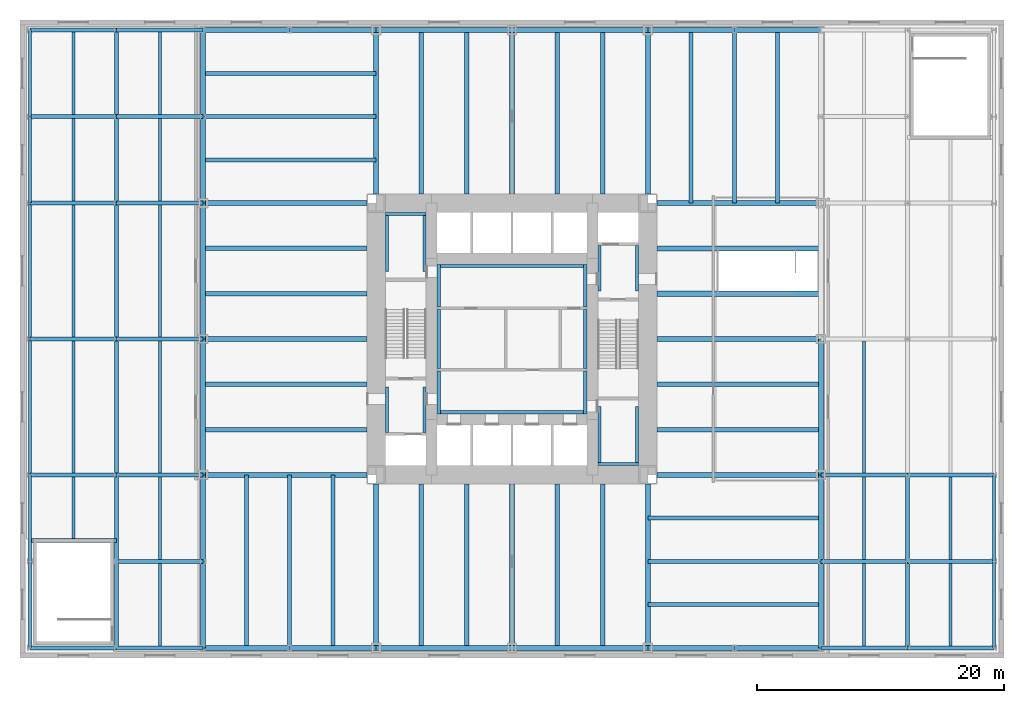
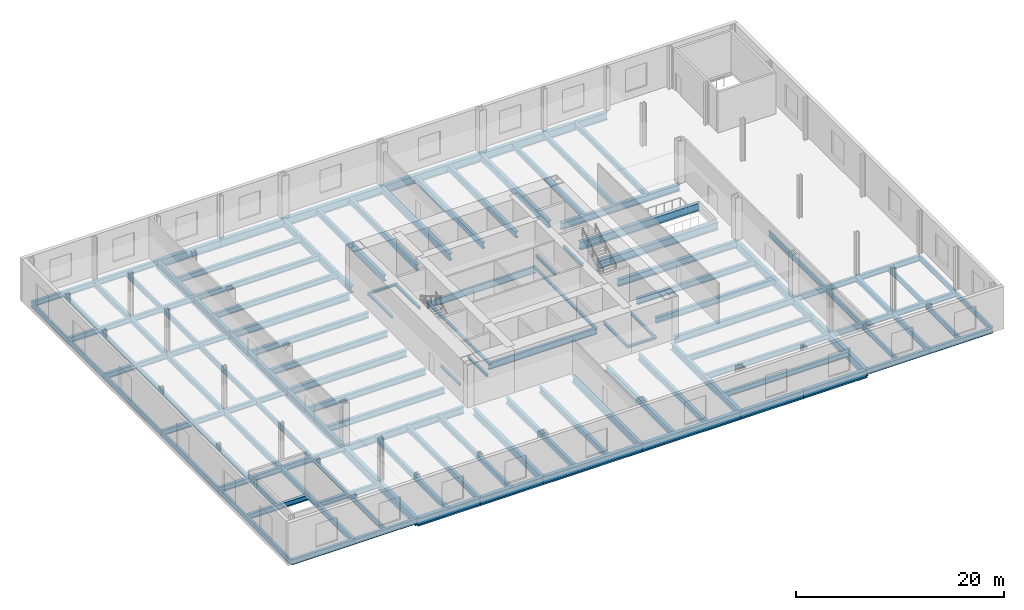
# One storey, part 5 of 12: 131 beams.
"""IFC4 building model written with IfcOpenShell, lengths in metres."""

from ifc_helpers import new_model, si_unit, direction, frame, origin, origin_2d, place, context, subcontext, project, spatial, i_section, extrude, material, material_profile, profile_set, type_object, element, save


model = new_model("IFC4")

# Units and contexts
model_context = context("Model", 3, precision=1e-05, world=origin(), true_north=direction((0.0, 1.0)))
body_context = subcontext(model_context, "Body", "Model", "MODEL_VIEW")
ifc_project = project(units=[si_unit("LENGTHUNIT", "METRE"), si_unit("AREAUNIT", "SQUARE_METRE"), si_unit("VOLUMEUNIT", "CUBIC_METRE"), si_unit("PLANEANGLEUNIT", "RADIAN"), si_unit("MASSUNIT", "GRAM", prefix="KILO")], contexts=[model_context])

# Site, building, storey
site_placement = place(None, origin())
site = spatial("IfcSite", under=ifc_project, at=site_placement, CompositionType="ELEMENT")
building_placement = place(site_placement, origin())
building = spatial("IfcBuilding", under=site, at=building_placement, Name="Trevanion Tower", CompositionType="ELEMENT")
storey_placement = place(building_placement, frame((0.0, 0.0, 11.0)))
storey = spatial("IfcBuildingStorey", under=building, at=storey_placement, Name="L02", CompositionType="ELEMENT", Elevation=11.0)

# Beams
ifc_material_1 = material(Name="Steel ASTM A992 Grade 50", Category="steel")
ifc_material_profile_1 = material_profile(ifc_material_1, i_section(OverallWidth=0.355712890625, OverallDepth=0.700927734375, WebThickness=0.016845703125, FlangeThickness=0.02734375, at=origin_2d()), Name="W27X161")
ifc_profile_set_1 = profile_set([ifc_material_profile_1], Name="Steel ASTM A992 Grade 50")
beam_type_1 = type_object("IfcBeamType", Name="B1 W27X161", PredefinedType="BEAM", material=ifc_profile_set_1)
for number, where, z_axis, x_axis, name in (
    (1, (11.75, -7.333251953125, -0.54052734375), (1.0, 0.0, 0.0), (0.0, 1.0, 0.0), "B1 L02"),
    (2, (11.75, -3.666748046875, -0.54052734375), (1.0, 0.0, 0.0), (0.0, 1.0, 0.0), "B1 L02"),
    (3, (7.333251953125, 11.75, -0.54052734375), (0.0, 1.0, 0.0), (-1.0, 0.0, 0.0), "B1 L02"),
    (4, (3.666748046875, 11.75, -0.54052734375), (0.0, 1.0, 0.0), (-1.0, 0.0, 0.0), "B1 L02"),
    (5, (-3.666748046875, 11.75, -0.54052734375), (0.0, 1.0, 0.0), (-1.0, 0.0, 0.0), "B1 L02"),
    (6, (-7.333251953125, 11.75, -0.54052734375), (0.0, 1.0, 0.0), (-1.0, 0.0, 0.0), "B1 L02"),
    (7, (-11.75, 7.333251953125, -0.54052734375), (-1.0, 0.0, 0.0), (0.0, -1.0, 0.0), "B1 L02"),
    (8, (-11.75, 3.666748046875, -0.54052734375), (-1.0, 0.0, 0.0), (0.0, -1.0, 0.0), "B1 L02"),
    (9, (-11.75, -3.666748046875, -0.54052734375), (-1.0, 0.0, 0.0), (0.0, -1.0, 0.0), "B1 L02"),
    (10, (-11.75, -7.333251953125, -0.54052734375), (-1.0, 0.0, 0.0), (0.0, -1.0, 0.0), "B1 L02"),
    (11, (-7.333251953125, -11.75, -0.54052734375), (0.0, -1.0, 0.0), (1.0, 0.0, 0.0), "B1 L02"),
    (12, (-3.666748046875, -11.75, -0.54052734375), (0.0, -1.0, 0.0), (1.0, 0.0, 0.0), "B1 L02"),
    (13, (3.666748046875, -11.75, -0.54052734375), (0.0, -1.0, 0.0), (1.0, 0.0, 0.0), "B1 L02"),
    (14, (7.333251953125, -11.75, -0.54052734375), (0.0, -1.0, 0.0), (1.0, 0.0, 0.0), "B1 L02"),
):
    element("IfcBeam", number, at=place(storey_placement, frame(where, z_axis=z_axis, x_axis=x_axis)), inside=storey, type_object=beam_type_1, Name=name, PredefinedType="BEAM", context=body_context, shape_type="SweptSolid", body=[
        extrude(i_section(OverallWidth=0.355712890625, OverallDepth=0.700927734375, WebThickness=0.016845703125, FlangeThickness=0.02734375, at=origin_2d()), origin(), (0.0, 0.0, 1.0), 13.25),
    ])
ifc_material_2 = material(Name="Steel ASTM A992 Grade 50", Category="steel")
ifc_material_profile_2 = material_profile(ifc_material_2, i_section(OverallWidth=0.419189453125, OverallDepth=0.927001953125, WebThickness=0.019287109375, FlangeThickness=0.031982421875, at=origin_2d()), Name="W36X231")
ifc_profile_set_2 = profile_set([ifc_material_profile_2], Name="Steel ASTM A992 Grade 50")
beam_type_2 = type_object("IfcBeamType", Name="B17 W36X231", PredefinedType="BEAM", material=ifc_profile_set_2)
for number, where, z_axis, x_axis, name in (
    (15, (11.75, 3.666748046875, -0.653564453125), (1.0, 0.0, 0.0), (0.0, 1.0, 0.0), "B17 L02"),
    (16, (11.75, 7.333251953125, -0.653564453125), (1.0, 0.0, 0.0), (0.0, 1.0, 0.0), "B17 L02"),
):
    element("IfcBeam", number, at=place(storey_placement, frame(where, z_axis=z_axis, x_axis=x_axis)), inside=storey, type_object=beam_type_2, Name=name, PredefinedType="BEAM", context=body_context, shape_type="SweptSolid", body=[
        extrude(i_section(OverallWidth=0.419189453125, OverallDepth=0.927001953125, WebThickness=0.019287109375, FlangeThickness=0.031982421875, at=origin_2d()), origin(), (0.0, 0.0, 1.0), 13.25),
    ])
ifc_material_3 = material(Name="Steel ASTM A992 Grade 50", Category="steel")
ifc_material_profile_3 = material_profile(ifc_material_3, i_section(OverallWidth=0.32763671875, OverallDepth=0.62744140625, WebThickness=0.0166015625, FlangeThickness=0.027587890625, at=origin_2d()), Name="W24X146")
ifc_profile_set_3 = profile_set([ifc_material_profile_3], Name="Steel ASTM A992 Grade 50")
beam_type_3 = type_object("IfcBeamType", Name="B2 W24X146", PredefinedType="BEAM", material=ifc_profile_set_3)
for number, where, z_axis, x_axis, name in (
    (17, (14.5, 11.0, -0.503662109375), (0.0, 1.0, 0.0), (-1.0, 0.0, 0.0), "B2 L02"),
    (18, (18.0, 11.0, -0.503662109375), (0.0, 1.0, 0.0), (-1.0, 0.0, 0.0), "B2 L02"),
    (19, (21.5, 11.0, -0.503662109375), (0.0, 1.0, 0.0), (-1.0, 0.0, 0.0), "B2 L02"),
    (20, (-11.0, 14.5, -0.503662109375), (-1.0, 0.0, 0.0), (0.0, -1.0, 0.0), "B2 L02"),
    (21, (-11.0, 18.0, -0.503662109375), (-1.0, 0.0, 0.0), (0.0, -1.0, 0.0), "B2 L02"),
    (22, (-11.0, 21.5, -0.503662109375), (-1.0, 0.0, 0.0), (0.0, -1.0, 0.0), "B2 L02"),
    (23, (-14.5, -11.0, -0.503662109375), (0.0, -1.0, 0.0), (1.0, 0.0, 0.0), "B2 L02"),
    (24, (-18.0, -11.0, -0.503662109375), (0.0, -1.0, 0.0), (1.0, 0.0, 0.0), "B2 L02"),
    (25, (-21.5, -11.0, -0.503662109375), (0.0, -1.0, 0.0), (1.0, 0.0, 0.0), "B2 L02"),
    (26, (11.0, -14.5, -0.503662109375), (1.0, 0.0, 0.0), (0.0, 1.0, 0.0), "B2 L02"),
    (27, (11.0, -18.0, -0.503662109375), (1.0, 0.0, 0.0), (0.0, 1.0, 0.0), "B2 L02"),
    (28, (11.0, -21.5, -0.503662109375), (1.0, 0.0, 0.0), (0.0, 1.0, 0.0), "B2 L02"),
):
    element("IfcBeam", number, at=place(storey_placement, frame(where, z_axis=z_axis, x_axis=x_axis)), inside=storey, type_object=beam_type_3, Name=name, PredefinedType="BEAM", context=body_context, shape_type="SweptSolid", body=[
        extrude(i_section(OverallWidth=0.32763671875, OverallDepth=0.62744140625, WebThickness=0.0166015625, FlangeThickness=0.027587890625, at=origin_2d()), origin(), (0.0, 0.0, 1.0), 14.0),
    ])
ifc_material_4 = material(Name="Steel ASTM A992 Grade 50", Category="steel")
ifc_material_profile_4 = material_profile(ifc_material_4, i_section(OverallWidth=0.385986328125, OverallDepth=0.802734375, WebThickness=0.023681640625, FlangeThickness=0.0419921875, at=origin_2d()), Name="W30X261")
ifc_profile_set_4 = profile_set([ifc_material_profile_4], Name="Steel ASTM A992 Grade 50")
beam_type_4 = type_object("IfcBeamType", Name="G1 W30X261", PredefinedType="BEAM", material=ifc_profile_set_4)
for number, where, z_axis, x_axis, name in (
    (29, (11.75, -11.0, -0.59130859375), (1.0, 0.0, 0.0), (0.0, 1.0, 0.0), "G1 L02"),
    (30, (11.75, 0.0, -0.59130859375), (1.0, 0.0, 0.0), (0.0, 1.0, 0.0), "G1 L02"),
    (31, (11.75, 11.0, -0.59130859375), (1.0, 0.0, 0.0), (0.0, 1.0, 0.0), "G1 L02"),
    (32, (11.0, 11.75, -0.59130859375), (0.0, 1.0, 0.0), (-1.0, 0.0, 0.0), "G1 L02"),
    (33, (0.0, 11.75, -0.59130859375), (0.0, 1.0, 0.0), (-1.0, 0.0, 0.0), "G1 L02"),
    (34, (-11.0, 11.75, -0.59130859375), (0.0, 1.0, 0.0), (-1.0, 0.0, 0.0), "G1 L02"),
    (35, (-11.75, 11.0, -0.59130859375), (-1.0, 0.0, 0.0), (0.0, -1.0, 0.0), "G1 L02"),
    (36, (-11.75, 0.0, -0.59130859375), (-1.0, 0.0, 0.0), (0.0, -1.0, 0.0), "G1 L02"),
    (37, (-11.75, -11.0, -0.59130859375), (-1.0, 0.0, 0.0), (0.0, -1.0, 0.0), "G1 L02"),
    (38, (-11.0, -11.75, -0.59130859375), (0.0, -1.0, 0.0), (1.0, 0.0, 0.0), "G1 L02"),
    (39, (0.0, -11.75, -0.59130859375), (0.0, -1.0, 0.0), (1.0, 0.0, 0.0), "G1 L02"),
    (40, (11.0, -11.75, -0.59130859375), (0.0, -1.0, 0.0), (1.0, 0.0, 0.0), "G1 L02"),
):
    element("IfcBeam", number, at=place(storey_placement, frame(where, z_axis=z_axis, x_axis=x_axis)), inside=storey, type_object=beam_type_4, Name=name, PredefinedType="BEAM", context=body_context, shape_type="SweptSolid", body=[
        extrude(i_section(OverallWidth=0.385986328125, OverallDepth=0.802734375, WebThickness=0.023681640625, FlangeThickness=0.0419921875, at=origin_2d()), origin(), (0.0, 0.0, 1.0), 13.25),
    ])
ifc_material_5 = material(Name="Steel ASTM A992 Grade 50", Category="steel")
ifc_material_profile_5 = material_profile(ifc_material_5, i_section(OverallWidth=0.256591796875, OverallDepth=0.26416015625, WebThickness=0.011962890625, FlangeThickness=0.01953125, at=origin_2d()), Name="W10X68")
ifc_profile_set_5 = profile_set([ifc_material_profile_5], Name="Steel ASTM A992 Grade 50")
beam_type_5 = type_object("IfcBeamType", Name="LB1 W10X68", PredefinedType="BEAM", material=ifc_profile_set_5)
for number, where, z_axis, x_axis, name in (
    (41, (-5.921630859375, 2.60009765625, -0.33203125), (0.0, 1.0, 0.0), (-1.0, 0.0, 0.0), "LB1 L02"),
    (42, (5.921630859375, 2.60009765625, -0.33203125), (0.0, 1.0, 0.0), (-1.0, 0.0, 0.0), "LB1 L02"),
    (43, (-5.921630859375, -6.050048828125, -0.33203125), (0.0, 1.0, 0.0), (-1.0, 0.0, 0.0), "LB1 L02"),
    (44, (5.921630859375, -6.050048828125, -0.33203125), (0.0, 1.0, 0.0), (-1.0, 0.0, 0.0), "LB1 L02"),
):
    element("IfcBeam", number, at=place(storey_placement, frame(where, z_axis=z_axis, x_axis=x_axis)), inside=storey, type_object=beam_type_5, Name=name, PredefinedType="BEAM", context=body_context, shape_type="SweptSolid", body=[
        extrude(i_section(OverallWidth=0.256591796875, OverallDepth=0.26416015625, WebThickness=0.011962890625, FlangeThickness=0.01953125, at=origin_2d()), origin(), (0.0, 0.0, 1.0), 3.449951171875),
    ])
for number, where, z_axis, x_axis, name in (
    (45, (7.078369140625, 3.875, -0.33203125), (0.0, 1.0, 0.0), (-1.0, 0.0, 0.0), "LB1 L02"),
    (46, (10.12158203125, 3.875, -0.33203125), (0.0, 1.0, 0.0), (-1.0, 0.0, 0.0), "LB1 L02"),
    (47, (-10.12158203125, -7.574951171875, -0.33203125), (0.0, 1.0, 0.0), (-1.0, 0.0, 0.0), "LB1 L02"),
    (48, (-7.078369140625, -7.574951171875, -0.33203125), (0.0, 1.0, 0.0), (-1.0, 0.0, 0.0), "LB1 L02"),
):
    element("IfcBeam", number, at=place(storey_placement, frame(where, z_axis=z_axis, x_axis=x_axis)), inside=storey, type_object=beam_type_5, Name=name, PredefinedType="BEAM", context=body_context, shape_type="SweptSolid", body=[
        extrude(i_section(OverallWidth=0.256591796875, OverallDepth=0.26416015625, WebThickness=0.011962890625, FlangeThickness=0.01953125, at=origin_2d()), origin(), (0.0, 0.0, 1.0), 3.699951171875),
    ])
for number, where, z_axis, x_axis, name in (
    (49, (7.078369140625, -10.25, -0.33203125), (0.0, 1.0, 0.0), (-1.0, 0.0, 0.0), "LB1 L02"),
    (50, (10.12158203125, -10.25, -0.33203125), (0.0, 1.0, 0.0), (-1.0, 0.0, 0.0), "LB1 L02"),
):
    element("IfcBeam", number, at=place(storey_placement, frame(where, z_axis=z_axis, x_axis=x_axis)), inside=storey, type_object=beam_type_5, Name=name, PredefinedType="BEAM", context=body_context, shape_type="SweptSolid", body=[
        extrude(i_section(OverallWidth=0.256591796875, OverallDepth=0.26416015625, WebThickness=0.011962890625, FlangeThickness=0.01953125, at=origin_2d()), origin(), (0.0, 0.0, 1.0), 4.77490234375),
    ])
beam_1_placement = place(storey_placement, frame((6.949951171875, -10.12158203125, -0.33203125), z_axis=(1.0, 0.0, 0.0), x_axis=(0.0, 1.0, 0.0)))
element("IfcBeam", 51, at=beam_1_placement, inside=storey, type_object=beam_type_5, Name="LB1 L02", PredefinedType="BEAM", context=body_context, shape_type="SweptSolid", body=[
    extrude(i_section(OverallWidth=0.256591796875, OverallDepth=0.26416015625, WebThickness=0.011962890625, FlangeThickness=0.01953125, at=origin_2d()), origin(), (0.0, 0.0, 1.0), 3.300048828125),
])
for number, where, z_axis, x_axis, name in (
    (52, (-10.12158203125, 5.47509765625, -0.33203125), (0.0, 1.0, 0.0), (-1.0, 0.0, 0.0), "LB1 L02"),
    (53, (-7.078369140625, 5.47509765625, -0.33203125), (0.0, 1.0, 0.0), (-1.0, 0.0, 0.0), "LB1 L02"),
):
    element("IfcBeam", number, at=place(storey_placement, frame(where, z_axis=z_axis, x_axis=x_axis)), inside=storey, type_object=beam_type_5, Name=name, PredefinedType="BEAM", context=body_context, shape_type="SweptSolid", body=[
        extrude(i_section(OverallWidth=0.256591796875, OverallDepth=0.26416015625, WebThickness=0.011962890625, FlangeThickness=0.01953125, at=origin_2d()), origin(), (0.0, 0.0, 1.0), 4.77490234375),
    ])
beam_2_placement = place(storey_placement, frame((-10.25, 10.12158203125, -0.33203125), z_axis=(1.0, 0.0, 0.0), x_axis=(0.0, 1.0, 0.0)))
element("IfcBeam", 54, at=beam_2_placement, inside=storey, type_object=beam_type_5, Name="LB1 L02", PredefinedType="BEAM", context=body_context, shape_type="SweptSolid", body=[
    extrude(i_section(OverallWidth=0.256591796875, OverallDepth=0.26416015625, WebThickness=0.011962890625, FlangeThickness=0.01953125, at=origin_2d()), origin(), (0.0, 0.0, 1.0), 3.300048828125),
])
for number, where, z_axis, x_axis, name in (
    (55, (-5.921630859375, -2.39990234375, -0.33203125), (0.0, 1.0, 0.0), (-1.0, 0.0, 0.0), "LB1 L02"),
    (56, (5.921630859375, -2.39990234375, -0.33203125), (0.0, 1.0, 0.0), (-1.0, 0.0, 0.0), "LB1 L02"),
):
    element("IfcBeam", number, at=place(storey_placement, frame(where, z_axis=z_axis, x_axis=x_axis)), inside=storey, type_object=beam_type_5, Name=name, PredefinedType="BEAM", context=body_context, shape_type="SweptSolid", body=[
        extrude(i_section(OverallWidth=0.256591796875, OverallDepth=0.26416015625, WebThickness=0.011962890625, FlangeThickness=0.01953125, at=origin_2d()), origin(), (0.0, 0.0, 1.0), 4.7998046875),
    ])
ifc_material_6 = material(Name="Steel ASTM A992 Grade 50", Category="steel")
ifc_material_profile_6 = material_profile(ifc_material_6, i_section(OverallWidth=0.2666015625, OverallDepth=0.76953125, WebThickness=0.015625, FlangeThickness=0.025390625, at=origin_2d()), Name="W30X132")
ifc_profile_set_6 = profile_set([ifc_material_profile_6], Name="Steel ASTM A992 Grade 50")
beam_type_6 = type_object("IfcBeamType", Name="LB3 W30X132", PredefinedType="BEAM", material=ifc_profile_set_6)
for number, where, z_axis, x_axis, name in (
    (57, (-6.050048828125, 5.91650390625, -0.584716796875), (1.0, 0.0, 0.0), (0.0, 1.0, 0.0), "LB3 L02"),
    (58, (-6.050048828125, -5.91650390625, -0.584716796875), (1.0, 0.0, 0.0), (0.0, 1.0, 0.0), "LB3 L02"),
):
    element("IfcBeam", number, at=place(storey_placement, frame(where, z_axis=z_axis, x_axis=x_axis)), inside=storey, type_object=beam_type_6, Name=name, PredefinedType="BEAM", context=body_context, shape_type="SweptSolid", body=[
        extrude(i_section(OverallWidth=0.2666015625, OverallDepth=0.76953125, WebThickness=0.015625, FlangeThickness=0.025390625, at=origin_2d()), origin(), (0.0, 0.0, 1.0), 12.10009765625),
    ])
ifc_material_7 = material(Name="Steel ASTM A992 Grade 50", Category="steel")
ifc_material_profile_7 = material_profile(ifc_material_7, i_section(OverallWidth=0.419189453125, OverallDepth=0.927001953125, WebThickness=0.019287109375, FlangeThickness=0.031982421875, at=origin_2d()), Name="W36X231")
ifc_profile_set_7 = profile_set([ifc_material_profile_7], Name="Steel ASTM A992 Grade 50")
beam_type_7 = type_object("IfcBeamType", Name="SB1 W36X231", PredefinedType="SPANDREL", material=ifc_profile_set_7)
for number, where, z_axis, x_axis, name in (
    (59, (25.0, -25.0, -0.653564453125), (0.0, 1.0, 0.0), (-1.0, 0.0, 0.0), "SB1 L02"),
    (60, (25.0, -18.0, -0.653564453125), (0.0, 1.0, 0.0), (-1.0, 0.0, 0.0), "SB1 L02"),
):
    element("IfcBeam", number, at=place(storey_placement, frame(where, z_axis=z_axis, x_axis=x_axis)), inside=storey, type_object=beam_type_7, Name=name, PredefinedType="SPANDREL", context=body_context, shape_type="SweptSolid", body=[
        extrude(i_section(OverallWidth=0.419189453125, OverallDepth=0.927001953125, WebThickness=0.019287109375, FlangeThickness=0.031982421875, at=origin_2d()), origin(), (0.0, 0.0, 1.0), 7.0),
    ])
beam_3_placement = place(storey_placement, frame((25.0, -11.0, -0.653564453125), z_axis=(0.0, 1.0, 0.0), x_axis=(-1.0, 0.0, 0.0)))
element("IfcBeam", 61, at=beam_3_placement, inside=storey, type_object=beam_type_7, Name="SB1 L02", PredefinedType="SPANDREL", context=body_context, shape_type="SweptSolid", body=[
    extrude(i_section(OverallWidth=0.419189453125, OverallDepth=0.927001953125, WebThickness=0.019287109375, FlangeThickness=0.031982421875, at=origin_2d()), origin(), (0.0, 0.0, 1.0), 11.0),
])
for number, where, z_axis, x_axis, name in (
    (62, (25.0, 25.0, -0.653564453125), (-1.0, 0.0, 0.0), (0.0, -1.0, 0.0), "SB1 L02"),
    (63, (18.0, 25.0, -0.653564453125), (-1.0, 0.0, 0.0), (0.0, -1.0, 0.0), "SB1 L02"),
):
    element("IfcBeam", number, at=place(storey_placement, frame(where, z_axis=z_axis, x_axis=x_axis)), inside=storey, type_object=beam_type_7, Name=name, PredefinedType="SPANDREL", context=body_context, shape_type="SweptSolid", body=[
        extrude(i_section(OverallWidth=0.419189453125, OverallDepth=0.927001953125, WebThickness=0.019287109375, FlangeThickness=0.031982421875, at=origin_2d()), origin(), (0.0, 0.0, 1.0), 7.0),
    ])
for number, where, z_axis, x_axis, name in (
    (64, (11.0, 25.0, -0.653564453125), (-1.0, 0.0, 0.0), (0.0, -1.0, 0.0), "SB1 L02"),
    (65, (0.0, 25.0, -0.653564453125), (-1.0, 0.0, 0.0), (0.0, -1.0, 0.0), "SB1 L02"),
):
    element("IfcBeam", number, at=place(storey_placement, frame(where, z_axis=z_axis, x_axis=x_axis)), inside=storey, type_object=beam_type_7, Name=name, PredefinedType="SPANDREL", context=body_context, shape_type="SweptSolid", body=[
        extrude(i_section(OverallWidth=0.419189453125, OverallDepth=0.927001953125, WebThickness=0.019287109375, FlangeThickness=0.031982421875, at=origin_2d()), origin(), (0.0, 0.0, 1.0), 11.0),
    ])
for number, where, z_axis, x_axis, name in (
    (66, (-11.0, 25.0, -0.653564453125), (-1.0, 0.0, 0.0), (0.0, -1.0, 0.0), "SB1 L02"),
    (67, (-18.0, 25.0, -0.653564453125), (-1.0, 0.0, 0.0), (0.0, -1.0, 0.0), "SB1 L02"),
    (68, (-25.0, 25.0, -0.653564453125), (0.0, -1.0, 0.0), (1.0, 0.0, 0.0), "SB1 L02"),
    (69, (-25.0, 18.0, -0.653564453125), (0.0, -1.0, 0.0), (1.0, 0.0, 0.0), "SB1 L02"),
):
    element("IfcBeam", number, at=place(storey_placement, frame(where, z_axis=z_axis, x_axis=x_axis)), inside=storey, type_object=beam_type_7, Name=name, PredefinedType="SPANDREL", context=body_context, shape_type="SweptSolid", body=[
        extrude(i_section(OverallWidth=0.419189453125, OverallDepth=0.927001953125, WebThickness=0.019287109375, FlangeThickness=0.031982421875, at=origin_2d()), origin(), (0.0, 0.0, 1.0), 7.0),
    ])
for number, where, z_axis, x_axis, name in (
    (70, (-25.0, 11.0, -0.653564453125), (0.0, -1.0, 0.0), (1.0, 0.0, 0.0), "SB1 L02"),
    (71, (-25.0, 0.0, -0.653564453125), (0.0, -1.0, 0.0), (1.0, 0.0, 0.0), "SB1 L02"),
):
    element("IfcBeam", number, at=place(storey_placement, frame(where, z_axis=z_axis, x_axis=x_axis)), inside=storey, type_object=beam_type_7, Name=name, PredefinedType="SPANDREL", context=body_context, shape_type="SweptSolid", body=[
        extrude(i_section(OverallWidth=0.419189453125, OverallDepth=0.927001953125, WebThickness=0.019287109375, FlangeThickness=0.031982421875, at=origin_2d()), origin(), (0.0, 0.0, 1.0), 11.0),
    ])
for number, where, z_axis, x_axis, name in (
    (72, (-25.0, -11.0, -0.653564453125), (0.0, -1.0, 0.0), (1.0, 0.0, 0.0), "SB1 L02"),
    (73, (-25.0, -18.0, -0.653564453125), (0.0, -1.0, 0.0), (1.0, 0.0, 0.0), "SB1 L02"),
    (74, (-25.0, -25.0, -0.653564453125), (1.0, 0.0, 0.0), (0.0, 1.0, 0.0), "SB1 L02"),
    (75, (-18.0, -25.0, -0.653564453125), (1.0, 0.0, 0.0), (0.0, 1.0, 0.0), "SB1 L02"),
):
    element("IfcBeam", number, at=place(storey_placement, frame(where, z_axis=z_axis, x_axis=x_axis)), inside=storey, type_object=beam_type_7, Name=name, PredefinedType="SPANDREL", context=body_context, shape_type="SweptSolid", body=[
        extrude(i_section(OverallWidth=0.419189453125, OverallDepth=0.927001953125, WebThickness=0.019287109375, FlangeThickness=0.031982421875, at=origin_2d()), origin(), (0.0, 0.0, 1.0), 7.0),
    ])
for number, where, z_axis, x_axis, name in (
    (76, (-11.0, -25.0, -0.653564453125), (1.0, 0.0, 0.0), (0.0, 1.0, 0.0), "SB1 L02"),
    (77, (0.0, -25.0, -0.653564453125), (1.0, 0.0, 0.0), (0.0, 1.0, 0.0), "SB1 L02"),
):
    element("IfcBeam", number, at=place(storey_placement, frame(where, z_axis=z_axis, x_axis=x_axis)), inside=storey, type_object=beam_type_7, Name=name, PredefinedType="SPANDREL", context=body_context, shape_type="SweptSolid", body=[
        extrude(i_section(OverallWidth=0.419189453125, OverallDepth=0.927001953125, WebThickness=0.019287109375, FlangeThickness=0.031982421875, at=origin_2d()), origin(), (0.0, 0.0, 1.0), 11.0),
    ])
for number, where, z_axis, x_axis, name in (
    (78, (11.0, -25.0, -0.653564453125), (1.0, 0.0, 0.0), (0.0, 1.0, 0.0), "SB1 L02"),
    (79, (18.0, -25.0, -0.653564453125), (1.0, 0.0, 0.0), (0.0, 1.0, 0.0), "SB1 L02"),
):
    element("IfcBeam", number, at=place(storey_placement, frame(where, z_axis=z_axis, x_axis=x_axis)), inside=storey, type_object=beam_type_7, Name=name, PredefinedType="SPANDREL", context=body_context, shape_type="SweptSolid", body=[
        extrude(i_section(OverallWidth=0.419189453125, OverallDepth=0.927001953125, WebThickness=0.019287109375, FlangeThickness=0.031982421875, at=origin_2d()), origin(), (0.0, 0.0, 1.0), 7.0),
    ])
ifc_material_8 = material(Name="Steel ASTM A992 Grade 50", Category="steel")
ifc_material_profile_8 = material_profile(ifc_material_8, i_section(OverallWidth=0.228271484375, OverallDepth=0.607177734375, WebThickness=0.01123046875, FlangeThickness=0.017333984375, at=origin_2d()), Name="W24X76")
ifc_profile_set_8 = profile_set([ifc_material_profile_8], Name="Steel ASTM A992 Grade 50")
beam_type_8 = type_object("IfcBeamType", Name="WB1 W24X76", PredefinedType="BEAM", material=ifc_profile_set_8)
for number, where, z_axis, x_axis, name in (
    (80, (28.5, -24.83740234375, -0.493408203125), (0.0, 1.0, 0.0), (-1.0, 0.0, 0.0), "WB1 L02"),
    (81, (28.5, -17.83740234375, -0.493408203125), (0.0, 1.0, 0.0), (-1.0, 0.0, 0.0), "WB1 L02"),
):
    element("IfcBeam", number, at=place(storey_placement, frame(where, z_axis=z_axis, x_axis=x_axis)), inside=storey, type_object=beam_type_8, Name=name, PredefinedType="BEAM", context=body_context, shape_type="SweptSolid", body=[
        extrude(i_section(OverallWidth=0.228271484375, OverallDepth=0.607177734375, WebThickness=0.01123046875, FlangeThickness=0.017333984375, at=origin_2d()), origin(), (0.0, 0.0, 1.0), 6.6748046875),
    ])
beam_4_placement = place(storey_placement, frame((28.5, -10.83740234375, -0.493408203125), z_axis=(0.0, 1.0, 0.0), x_axis=(-1.0, 0.0, 0.0)))
element("IfcBeam", 82, at=beam_4_placement, inside=storey, type_object=beam_type_8, Name="WB1 L02", PredefinedType="BEAM", context=body_context, shape_type="SweptSolid", body=[
    extrude(i_section(OverallWidth=0.228271484375, OverallDepth=0.607177734375, WebThickness=0.01123046875, FlangeThickness=0.017333984375, at=origin_2d()), origin(), (0.0, 0.0, 1.0), 10.6748046875),
])
for number, where, z_axis, x_axis, name in (
    (83, (35.5, -24.83740234375, -0.493408203125), (0.0, 1.0, 0.0), (-1.0, 0.0, 0.0), "WB1 L02"),
    (84, (35.5, -17.83740234375, -0.493408203125), (0.0, 1.0, 0.0), (-1.0, 0.0, 0.0), "WB1 L02"),
    (85, (-28.5, 24.83740234375, -0.493408203125), (0.0, -1.0, 0.0), (1.0, 0.0, 0.0), "WB1 L02"),
    (86, (-28.5, 17.83740234375, -0.493408203125), (0.0, -1.0, 0.0), (1.0, 0.0, 0.0), "WB1 L02"),
):
    element("IfcBeam", number, at=place(storey_placement, frame(where, z_axis=z_axis, x_axis=x_axis)), inside=storey, type_object=beam_type_8, Name=name, PredefinedType="BEAM", context=body_context, shape_type="SweptSolid", body=[
        extrude(i_section(OverallWidth=0.228271484375, OverallDepth=0.607177734375, WebThickness=0.01123046875, FlangeThickness=0.017333984375, at=origin_2d()), origin(), (0.0, 0.0, 1.0), 6.6748046875),
    ])
for number, where, z_axis, x_axis, name in (
    (87, (-28.5, 10.83740234375, -0.493408203125), (0.0, -1.0, 0.0), (1.0, 0.0, 0.0), "WB1 L02"),
    (88, (-28.5, -0.16259765625, -0.493408203125), (0.0, -1.0, 0.0), (1.0, 0.0, 0.0), "WB1 L02"),
):
    element("IfcBeam", number, at=place(storey_placement, frame(where, z_axis=z_axis, x_axis=x_axis)), inside=storey, type_object=beam_type_8, Name=name, PredefinedType="BEAM", context=body_context, shape_type="SweptSolid", body=[
        extrude(i_section(OverallWidth=0.228271484375, OverallDepth=0.607177734375, WebThickness=0.01123046875, FlangeThickness=0.017333984375, at=origin_2d()), origin(), (0.0, 0.0, 1.0), 10.6748046875),
    ])
for number, where, z_axis, x_axis, name in (
    (89, (-28.5, -11.16259765625, -0.493408203125), (0.0, -1.0, 0.0), (1.0, 0.0, 0.0), "WB1 L02"),
    (90, (-28.5, -18.16259765625, -0.493408203125), (0.0, -1.0, 0.0), (1.0, 0.0, 0.0), "WB1 L02"),
    (91, (-35.5, 24.83740234375, -0.493408203125), (0.0, -1.0, 0.0), (1.0, 0.0, 0.0), "WB1 L02"),
    (92, (-35.5, 17.83740234375, -0.493408203125), (0.0, -1.0, 0.0), (1.0, 0.0, 0.0), "WB1 L02"),
):
    element("IfcBeam", number, at=place(storey_placement, frame(where, z_axis=z_axis, x_axis=x_axis)), inside=storey, type_object=beam_type_8, Name=name, PredefinedType="BEAM", context=body_context, shape_type="SweptSolid", body=[
        extrude(i_section(OverallWidth=0.228271484375, OverallDepth=0.607177734375, WebThickness=0.01123046875, FlangeThickness=0.017333984375, at=origin_2d()), origin(), (0.0, 0.0, 1.0), 6.6748046875),
    ])
for number, where, z_axis, x_axis, name in (
    (93, (-35.5, 10.83740234375, -0.493408203125), (0.0, -1.0, 0.0), (1.0, 0.0, 0.0), "WB1 L02"),
    (94, (-35.5, -0.16259765625, -0.493408203125), (0.0, -1.0, 0.0), (1.0, 0.0, 0.0), "WB1 L02"),
):
    element("IfcBeam", number, at=place(storey_placement, frame(where, z_axis=z_axis, x_axis=x_axis)), inside=storey, type_object=beam_type_8, Name=name, PredefinedType="BEAM", context=body_context, shape_type="SweptSolid", body=[
        extrude(i_section(OverallWidth=0.228271484375, OverallDepth=0.607177734375, WebThickness=0.01123046875, FlangeThickness=0.017333984375, at=origin_2d()), origin(), (0.0, 0.0, 1.0), 10.6748046875),
    ])
beam_5_placement = place(storey_placement, frame((-35.5, -11.16259765625, -0.493408203125), z_axis=(0.0, -1.0, 0.0), x_axis=(1.0, 0.0, 0.0)))
element("IfcBeam", 95, at=beam_5_placement, inside=storey, type_object=beam_type_8, Name="WB1 L02", PredefinedType="BEAM", context=body_context, shape_type="SweptSolid", body=[
    extrude(i_section(OverallWidth=0.228271484375, OverallDepth=0.607177734375, WebThickness=0.01123046875, FlangeThickness=0.017333984375, at=origin_2d()), origin(), (0.0, 0.0, 1.0), 4.98974609375),
])
ifc_material_9 = material(Name="Steel ASTM A992 Grade 50", Category="steel")
ifc_material_profile_9 = material_profile(ifc_material_9, i_section(OverallWidth=0.227783203125, OverallDepth=0.60205078125, WebThickness=0.010498046875, FlangeThickness=0.014892578125, at=origin_2d()), Name="W24X68")
ifc_profile_set_9 = profile_set([ifc_material_profile_9], Name="Steel ASTM A992 Grade 50")
beam_type_9 = type_object("IfcBeamType", Name="WE1 W24X68", PredefinedType="SPANDREL", material=ifc_profile_set_9)
for number, where, z_axis, x_axis, name in (
    (96, (39.0, -25.0, -0.490966796875), (0.0, 1.0, 0.0), (-1.0, 0.0, 0.0), "WE1 L02"),
    (97, (39.0, -18.0, -0.490966796875), (0.0, 1.0, 0.0), (-1.0, 0.0, 0.0), "WE1 L02"),
    (98, (-39.0, 25.0, -0.490966796875), (0.0, -1.0, 0.0), (1.0, 0.0, 0.0), "WE1 L02"),
    (99, (-39.0, 18.0, -0.490966796875), (0.0, -1.0, 0.0), (1.0, 0.0, 0.0), "WE1 L02"),
):
    element("IfcBeam", number, at=place(storey_placement, frame(where, z_axis=z_axis, x_axis=x_axis)), inside=storey, type_object=beam_type_9, Name=name, PredefinedType="SPANDREL", context=body_context, shape_type="SweptSolid", body=[
        extrude(i_section(OverallWidth=0.227783203125, OverallDepth=0.60205078125, WebThickness=0.010498046875, FlangeThickness=0.014892578125, at=origin_2d()), origin(), (0.0, 0.0, 1.0), 7.0),
    ])
for number, where, z_axis, x_axis, name in (
    (100, (-39.0, 11.0, -0.490966796875), (0.0, -1.0, 0.0), (1.0, 0.0, 0.0), "WE1 L02"),
    (101, (-39.0, 0.0, -0.490966796875), (0.0, -1.0, 0.0), (1.0, 0.0, 0.0), "WE1 L02"),
):
    element("IfcBeam", number, at=place(storey_placement, frame(where, z_axis=z_axis, x_axis=x_axis)), inside=storey, type_object=beam_type_9, Name=name, PredefinedType="SPANDREL", context=body_context, shape_type="SweptSolid", body=[
        extrude(i_section(OverallWidth=0.227783203125, OverallDepth=0.60205078125, WebThickness=0.010498046875, FlangeThickness=0.014892578125, at=origin_2d()), origin(), (0.0, 0.0, 1.0), 11.0),
    ])
for number, where, z_axis, x_axis, name in (
    (102, (-39.0, -11.0, -0.490966796875), (0.0, -1.0, 0.0), (1.0, 0.0, 0.0), "WE1 L02"),
    (103, (-39.0, -18.0, -0.490966796875), (0.0, -1.0, 0.0), (1.0, 0.0, 0.0), "WE1 L02"),
):
    element("IfcBeam", number, at=place(storey_placement, frame(where, z_axis=z_axis, x_axis=x_axis)), inside=storey, type_object=beam_type_9, Name=name, PredefinedType="SPANDREL", context=body_context, shape_type="SweptSolid", body=[
        extrude(i_section(OverallWidth=0.227783203125, OverallDepth=0.60205078125, WebThickness=0.010498046875, FlangeThickness=0.014892578125, at=origin_2d()), origin(), (0.0, 0.0, 1.0), 7.0),
    ])
ifc_material_10 = material(Name="Steel ASTM A992 Grade 50", Category="steel")
ifc_material_profile_10 = material_profile(ifc_material_10, i_section(OverallWidth=0.3251953125, OverallDepth=0.612060546875, WebThickness=0.0126953125, FlangeThickness=0.01904296875, at=origin_2d()), Name="W24X104")
ifc_profile_set_10 = profile_set([ifc_material_profile_10], Name="Steel ASTM A992 Grade 50")
beam_type_10 = type_object("IfcBeamType", Name="WG1 W24X104", PredefinedType="BEAM", material=ifc_profile_set_10)
for number, where, z_axis, x_axis, name in (
    (104, (25.0, -25.0, -0.49609375), (1.0, 0.0, 0.0), (0.0, 1.0, 0.0), "WG1 L02"),
    (105, (32.0, -25.0, -0.49609375), (1.0, 0.0, 0.0), (0.0, 1.0, 0.0), "WG1 L02"),
    (106, (25.0, -18.0, -0.49609375), (1.0, 0.0, 0.0), (0.0, 1.0, 0.0), "WG1 L02"),
    (107, (32.0, -18.0, -0.49609375), (1.0, 0.0, 0.0), (0.0, 1.0, 0.0), "WG1 L02"),
    (108, (25.0, -11.0, -0.49609375), (1.0, 0.0, 0.0), (0.0, 1.0, 0.0), "WG1 L02"),
    (109, (32.0, -11.0, -0.49609375), (1.0, 0.0, 0.0), (0.0, 1.0, 0.0), "WG1 L02"),
    (110, (32.0, -25.0, -0.49609375), (0.0, 1.0, 0.0), (-1.0, 0.0, 0.0), "WG1 L02"),
    (111, (32.0, -18.0, -0.49609375), (0.0, 1.0, 0.0), (-1.0, 0.0, 0.0), "WG1 L02"),
    (112, (-25.0, 25.0, -0.49609375), (-1.0, 0.0, 0.0), (0.0, -1.0, 0.0), "WG1 L02"),
    (113, (-32.0, 25.0, -0.49609375), (-1.0, 0.0, 0.0), (0.0, -1.0, 0.0), "WG1 L02"),
    (114, (-25.0, 18.0, -0.49609375), (-1.0, 0.0, 0.0), (0.0, -1.0, 0.0), "WG1 L02"),
    (115, (-32.0, 18.0, -0.49609375), (-1.0, 0.0, 0.0), (0.0, -1.0, 0.0), "WG1 L02"),
    (116, (-25.0, 11.0, -0.49609375), (-1.0, 0.0, 0.0), (0.0, -1.0, 0.0), "WG1 L02"),
    (117, (-32.0, 11.0, -0.49609375), (-1.0, 0.0, 0.0), (0.0, -1.0, 0.0), "WG1 L02"),
    (118, (-25.0, 0.0, -0.49609375), (-1.0, 0.0, 0.0), (0.0, -1.0, 0.0), "WG1 L02"),
    (119, (-32.0, 0.0, -0.49609375), (-1.0, 0.0, 0.0), (0.0, -1.0, 0.0), "WG1 L02"),
    (120, (-25.0, -11.0, -0.49609375), (-1.0, 0.0, 0.0), (0.0, -1.0, 0.0), "WG1 L02"),
    (121, (-32.0, -11.0, -0.49609375), (-1.0, 0.0, 0.0), (0.0, -1.0, 0.0), "WG1 L02"),
    (122, (-25.0, -18.0, -0.49609375), (-1.0, 0.0, 0.0), (0.0, -1.0, 0.0), "WG1 L02"),
    (123, (-25.0, -25.0, -0.49609375), (-1.0, 0.0, 0.0), (0.0, -1.0, 0.0), "WG1 L02"),
    (124, (-32.0, -25.0, -0.49609375), (-1.0, 0.0, 0.0), (0.0, -1.0, 0.0), "WG1 L02"),
    (125, (-32.0, -16.31494140625, -0.49609375), (-1.0, 0.0, 0.0), (0.0, -1.0, 0.0), "WG1 L02"),
    (126, (-32.0, 25.0, -0.49609375), (0.0, -1.0, 0.0), (1.0, 0.0, 0.0), "WG1 L02"),
    (127, (-32.0, 18.0, -0.49609375), (0.0, -1.0, 0.0), (1.0, 0.0, 0.0), "WG1 L02"),
):
    element("IfcBeam", number, at=place(storey_placement, frame(where, z_axis=z_axis, x_axis=x_axis)), inside=storey, type_object=beam_type_10, Name=name, PredefinedType="BEAM", context=body_context, shape_type="SweptSolid", body=[
        extrude(i_section(OverallWidth=0.3251953125, OverallDepth=0.612060546875, WebThickness=0.0126953125, FlangeThickness=0.01904296875, at=origin_2d()), origin(), (0.0, 0.0, 1.0), 7.0),
    ])
for number, where, z_axis, x_axis, name in (
    (128, (-32.0, 11.0, -0.49609375), (0.0, -1.0, 0.0), (1.0, 0.0, 0.0), "WG1 L02"),
    (129, (-32.0, 0.0, -0.49609375), (0.0, -1.0, 0.0), (1.0, 0.0, 0.0), "WG1 L02"),
):
    element("IfcBeam", number, at=place(storey_placement, frame(where, z_axis=z_axis, x_axis=x_axis)), inside=storey, type_object=beam_type_10, Name=name, PredefinedType="BEAM", context=body_context, shape_type="SweptSolid", body=[
        extrude(i_section(OverallWidth=0.3251953125, OverallDepth=0.612060546875, WebThickness=0.0126953125, FlangeThickness=0.01904296875, at=origin_2d()), origin(), (0.0, 0.0, 1.0), 11.0),
    ])
for number, where, z_axis, x_axis, name in (
    (130, (-32.0, -11.0, -0.49609375), (0.0, -1.0, 0.0), (1.0, 0.0, 0.0), "WG1 L02"),
    (131, (-32.0, -18.0, -0.49609375), (0.0, -1.0, 0.0), (1.0, 0.0, 0.0), "WG1 L02"),
):
    element("IfcBeam", number, at=place(storey_placement, frame(where, z_axis=z_axis, x_axis=x_axis)), inside=storey, type_object=beam_type_10, Name=name, PredefinedType="BEAM", context=body_context, shape_type="SweptSolid", body=[
        extrude(i_section(OverallWidth=0.3251953125, OverallDepth=0.612060546875, WebThickness=0.0126953125, FlangeThickness=0.01904296875, at=origin_2d()), origin(), (0.0, 0.0, 1.0), 7.0),
    ])

save(model, "model.ifc")
